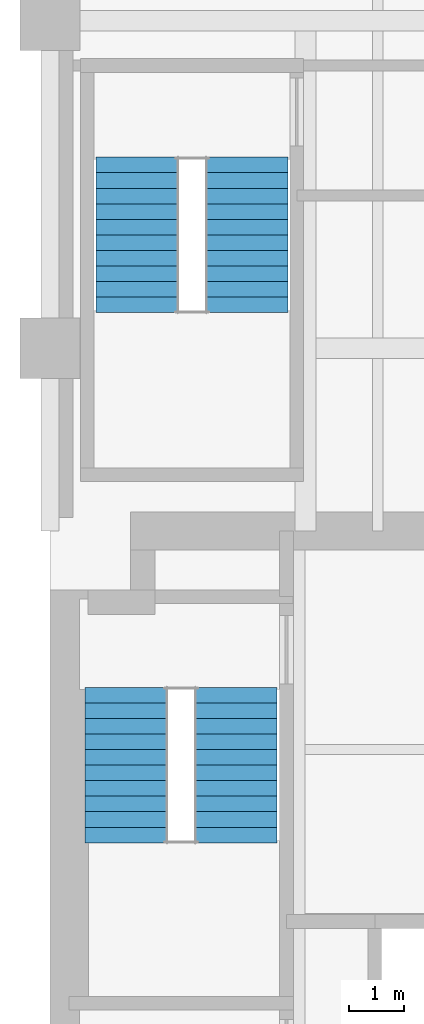
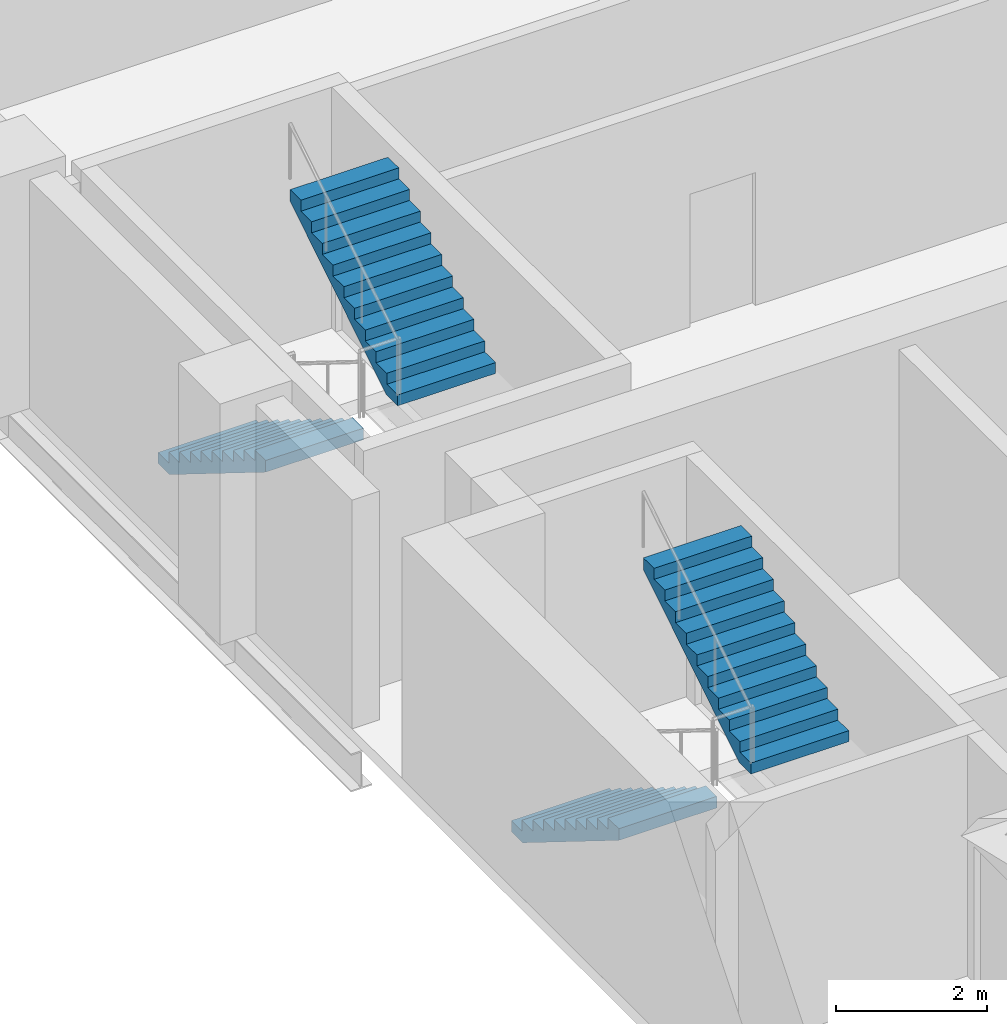
# One storey, part 6 of 7: 4 stair flights, 2 elements without a shape of their own.
"""IFC4 building model written with IfcOpenShell, lengths in metres."""

from ifc_helpers import new_model, si_unit, direction, frame, origin, place, context, subcontext, project, spatial, polyline, outline, extrude, material, type_object, element, aggregate, save


model = new_model("IFC4")

# Units and contexts
model_context = context("Model", 3, precision=1e-05, world=origin(), true_north=direction((0.0, 1.0)))
body_context = subcontext(model_context, "Body", "Model", "MODEL_VIEW")
ifc_project = project(units=[si_unit("LENGTHUNIT", "METRE"), si_unit("AREAUNIT", "SQUARE_METRE"), si_unit("VOLUMEUNIT", "CUBIC_METRE"), si_unit("PLANEANGLEUNIT", "RADIAN"), si_unit("MASSUNIT", "GRAM", prefix="KILO")], contexts=[model_context])

# Site, building, storey
site_placement = place(None, origin())
site = spatial("IfcSite", under=ifc_project, at=site_placement, CompositionType="ELEMENT")
building_placement = place(site_placement, origin())
building = spatial("IfcBuilding", under=site, at=building_placement, Name="Mawjdan Bourse Tower", CompositionType="ELEMENT")
storey_placement = place(building_placement, frame((0.0, 0.0, 112.800048828125)))
storey = spatial("IfcBuildingStorey", under=building, at=storey_placement, Name="L26", CompositionType="ELEMENT", Elevation=112.800048828125)

# Stair, stair flights
ifc_material = material(Name="Concrete C50/60", Category="concrete")
stair_type = type_object("IfcStairType", Name="STR-CORE-1500", PredefinedType="HALF_TURN_STAIR", material=ifc_material)
stair_1_placement = place(storey_placement, origin())
stair_1 = element("IfcStair", 1, at=stair_1_placement, inside=storey, type_object=stair_type, Name="L26 Exit Stair 2 (Core North-West)", PredefinedType="HALF_TURN_STAIR")
stair_flight_type = type_object("IfcStairFlightType", Name="SFL-RC-1500", PredefinedType="STRAIGHT", material=ifc_material)
stair_flight_1_placement = place(storey_placement, frame((7.389892578125, 17.7900390625, 0.0), z_axis=(0.0, 0.0, 1.0), x_axis=(0.0, -1.0, 0.0)))
stair_flight_1 = element("IfcStairFlight", 2, at=stair_flight_1_placement, type_object=stair_flight_type, Name="ST2-L26 flight 1", NumberOfRisers=11, NumberOfTreads=10, PredefinedType="STRAIGHT", RiserHeight=0.177273, TreadLength=0.285, context=body_context, shape_type="SweptSolid", body=[
    extrude(outline(polyline([(0.0, 0.0), (0.0, 0.17724609375), (0.284912109375, 0.17724609375), (0.284912109375, 0.3544921875), (0.570068359375, 0.3544921875), (0.570068359375, 0.53173828125), (0.85498046875, 0.53173828125), (0.85498046875, 0.708984375), (1.139892578125, 0.708984375), (1.139892578125, 0.886474609375), (1.425048828125, 0.886474609375), (1.425048828125, 1.063720703125), (1.7099609375, 1.063720703125), (1.7099609375, 1.240966796875), (1.9951171875, 1.240966796875), (1.9951171875, 1.418212890625), (2.280029296875, 1.418212890625), (2.280029296875, 1.595458984375), (2.56494140625, 1.595458984375), (2.56494140625, 1.772705078125), (2.85009765625, 1.772705078125), (2.85009765625, 1.949951171875), (2.85009765625, 1.58447265625), (0.302734375, 0.0), (0.0, 0.0)])), frame((0.0, 0.75, 0.0), z_axis=(0.0, -1.0, 0.0), x_axis=(1.0, 0.0, 0.0)), (0.0, 0.0, 1.0), 1.5),
])
stair_flight_2_placement = place(storey_placement, frame((9.409912109375, 14.93994140625, 1.949951171875), z_axis=(0.0, 0.0, 1.0), x_axis=(0.0, 1.0, 0.0)))
stair_flight_2 = element("IfcStairFlight", 3, at=stair_flight_2_placement, type_object=stair_flight_type, Name="ST2-L26 flight 2", NumberOfRisers=11, NumberOfTreads=10, PredefinedType="STRAIGHT", RiserHeight=0.177273, TreadLength=0.285, context=body_context, shape_type="SweptSolid", body=[
    extrude(outline(polyline([(0.0, 0.0), (0.0, 0.17724609375), (0.284912109375, 0.17724609375), (0.284912109375, 0.3544921875), (0.570068359375, 0.3544921875), (0.570068359375, 0.53173828125), (0.85498046875, 0.53173828125), (0.85498046875, 0.708984375), (1.139892578125, 0.708984375), (1.139892578125, 0.886474609375), (1.425048828125, 0.886474609375), (1.425048828125, 1.063720703125), (1.7099609375, 1.063720703125), (1.7099609375, 1.240966796875), (1.9951171875, 1.240966796875), (1.9951171875, 1.418212890625), (2.280029296875, 1.418212890625), (2.280029296875, 1.595458984375), (2.56494140625, 1.595458984375), (2.56494140625, 1.772705078125), (2.85009765625, 1.772705078125), (2.85009765625, 1.949951171875), (2.85009765625, 1.58447265625), (0.302734375, 0.0), (0.0, 0.0)])), frame((0.0, 0.75, 0.0), z_axis=(0.0, -1.0, 0.0), x_axis=(1.0, 0.0, 0.0)), (0.0, 0.0, 1.0), 1.5),
])
aggregate(stair_1, [stair_flight_1, stair_flight_2])

stair_2_placement = place(storey_placement, origin())
stair_2 = element("IfcStair", 4, at=stair_2_placement, inside=storey, type_object=stair_type, Name="L26 Exit Stair 3 (North Wing)", PredefinedType="HALF_TURN_STAIR")
stair_flight_3_placement = place(storey_placement, frame((7.590087890625, 27.5, 0.0), z_axis=(0.0, 0.0, 1.0), x_axis=(0.0, -1.0, 0.0)))
stair_flight_3 = element("IfcStairFlight", 5, at=stair_flight_3_placement, type_object=stair_flight_type, Name="ST3-L26 flight 1", NumberOfRisers=11, NumberOfTreads=10, PredefinedType="STRAIGHT", RiserHeight=0.177273, TreadLength=0.285, context=body_context, shape_type="SweptSolid", body=[
    extrude(outline(polyline([(0.0, 0.0), (0.0, 0.17724609375), (0.284912109375, 0.17724609375), (0.284912109375, 0.3544921875), (0.570068359375, 0.3544921875), (0.570068359375, 0.53173828125), (0.85498046875, 0.53173828125), (0.85498046875, 0.708984375), (1.139892578125, 0.708984375), (1.139892578125, 0.886474609375), (1.425048828125, 0.886474609375), (1.425048828125, 1.063720703125), (1.7099609375, 1.063720703125), (1.7099609375, 1.240966796875), (1.9951171875, 1.240966796875), (1.9951171875, 1.418212890625), (2.280029296875, 1.418212890625), (2.280029296875, 1.595458984375), (2.56494140625, 1.595458984375), (2.56494140625, 1.772705078125), (2.85009765625, 1.772705078125), (2.85009765625, 1.949951171875), (2.85009765625, 1.58447265625), (0.302734375, 0.0), (0.0, 0.0)])), frame((0.0, 0.75, 0.0), z_axis=(0.0, -1.0, 0.0), x_axis=(1.0, 0.0, 0.0)), (0.0, 0.0, 1.0), 1.5),
])
stair_flight_4_placement = place(storey_placement, frame((9.610107421875, 24.64990234375, 1.949951171875), z_axis=(0.0, 0.0, 1.0), x_axis=(0.0, 1.0, 0.0)))
stair_flight_4 = element("IfcStairFlight", 6, at=stair_flight_4_placement, type_object=stair_flight_type, Name="ST3-L26 flight 2", NumberOfRisers=11, NumberOfTreads=10, PredefinedType="STRAIGHT", RiserHeight=0.177273, TreadLength=0.285, context=body_context, shape_type="SweptSolid", body=[
    extrude(outline(polyline([(0.0, 0.0), (0.0, 0.17724609375), (0.284912109375, 0.17724609375), (0.284912109375, 0.3544921875), (0.570068359375, 0.3544921875), (0.570068359375, 0.53173828125), (0.85498046875, 0.53173828125), (0.85498046875, 0.708984375), (1.139892578125, 0.708984375), (1.139892578125, 0.886474609375), (1.425048828125, 0.886474609375), (1.425048828125, 1.063720703125), (1.7099609375, 1.063720703125), (1.7099609375, 1.240966796875), (1.9951171875, 1.240966796875), (1.9951171875, 1.418212890625), (2.280029296875, 1.418212890625), (2.280029296875, 1.595458984375), (2.56494140625, 1.595458984375), (2.56494140625, 1.772705078125), (2.85009765625, 1.772705078125), (2.85009765625, 1.949951171875), (2.85009765625, 1.58447265625), (0.302734375, 0.0), (0.0, 0.0)])), frame((0.0, 0.75, 0.0), z_axis=(0.0, -1.0, 0.0), x_axis=(1.0, 0.0, 0.0)), (0.0, 0.0, 1.0), 1.5),
])
aggregate(stair_2, [stair_flight_3, stair_flight_4])

save(model, "model.ifc")
